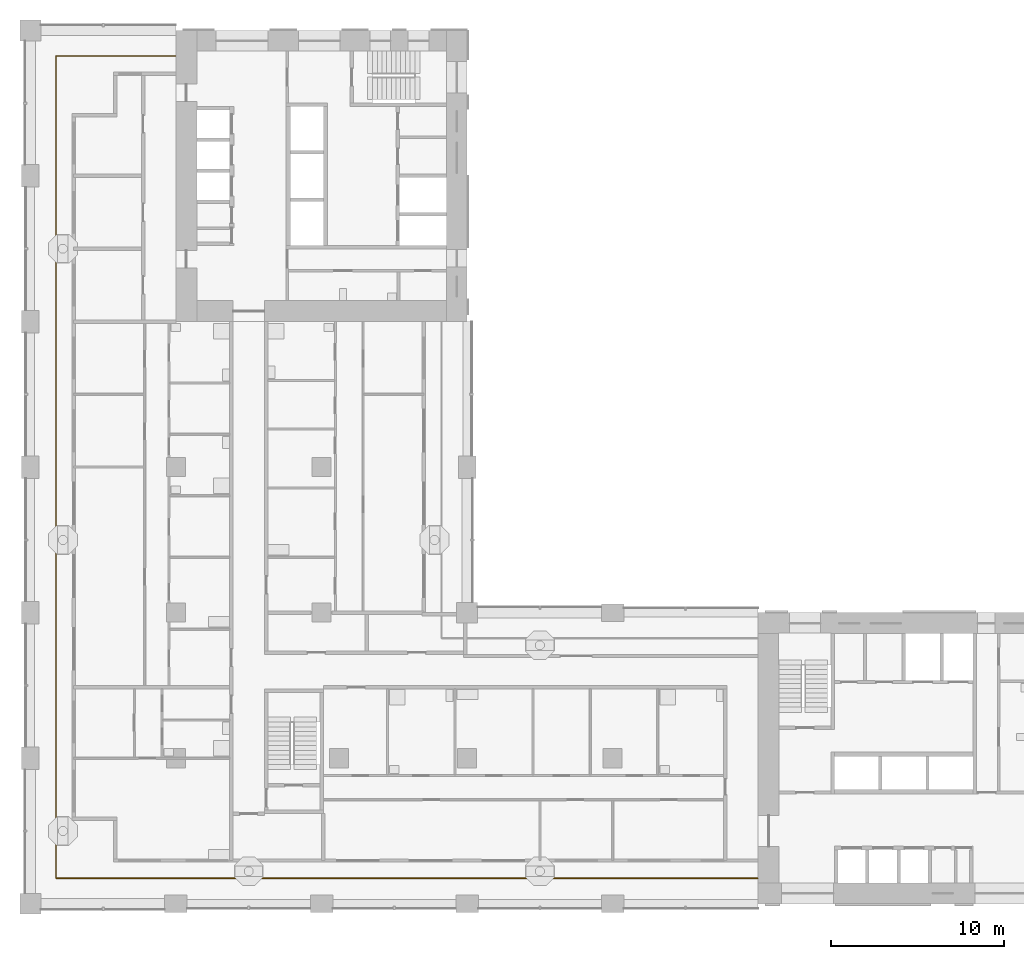
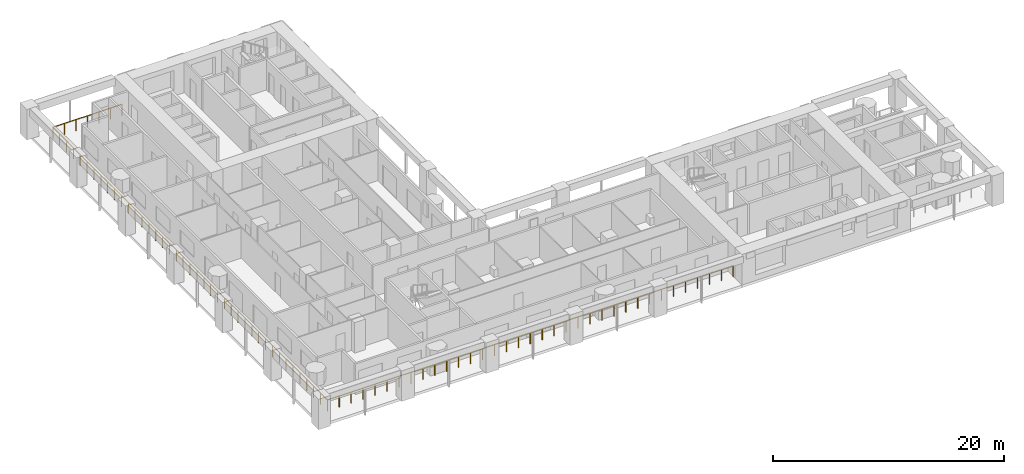
# One storey, part 10 of 18: 1 railing.
"""IFC4 building model written with IfcOpenShell, lengths in metres."""

import ifcopenshell
import ifcopenshell.guid

model = None  # the IFC model being written
_history = None  # IfcOwnerHistory: only IFC2X3 demands one
_inside = {}  # id of a spatial element -> (the spatial element, [elements in it])
_under = {}  # id of a project, library or spatial element -> (it, [spatial elements below it])
_declared = {}  # id of a project -> (the project, [libraries it declares])
_typed = {}  # id of a type object -> (the type object, [elements of that type])
_made_of = {}  # id of a material, layer set ... -> (it, [elements and type objects made of it])


def new_model(schema):
    """Start an empty IFC model of exactly this schema.

    Asked for "IFC4X3", IfcOpenShell would pick the latest addendum, in which some entities
    have other attributes; the version numbers below select the first issue.
    IFC2X3 requires an IfcOwnerHistory on every rooted entity: one is made here for all.
    """
    global model, _history
    if schema == "IFC4X3":
        model = ifcopenshell.file(schema_version=(4, 3, 0, 0))
    else:
        model = ifcopenshell.file(schema=schema)
    _inside.clear()
    _under.clear()
    _declared.clear()
    _typed.clear()
    _made_of.clear()
    _history = None
    if model.schema == "IFC2X3":
        org = make("IfcOrganization", Name="unknown")
        user = make(
            "IfcPersonAndOrganization",
            ThePerson=make("IfcPerson", FamilyName="unknown"),
            TheOrganization=org,
        )
        app = make(
            "IfcApplication",
            ApplicationDeveloper=org,
            Version="unknown",
            ApplicationFullName="unknown",
            ApplicationIdentifier="unknown",
        )
        _history = make(
            "IfcOwnerHistory",
            OwningUser=user,
            OwningApplication=app,
            ChangeAction="ADDED",
            CreationDate=0,
        )
    return model


def make(cls, **values):
    """One entity of the class cls with the attributes given. An attribute that is None is left unset."""
    return model.create_entity(
        cls, **{name: value for name, value in values.items() if value is not None}
    )


def rooted(cls, **values):
    """An entity with a GlobalId (a new one), such as an element, a storey or a relation."""
    return make(cls, GlobalId=ifcopenshell.guid.new(), OwnerHistory=_history, **values)


def si_unit(unit_type, name, prefix=None):
    """IfcSIUnit, for example si_unit("LENGTHUNIT", "METRE", prefix="MILLI")."""
    return make("IfcSIUnit", UnitType=unit_type, Prefix=prefix, Name=name)


def assignment(units):
    """IfcUnitAssignment: the units of a project."""
    return None if units is None else make("IfcUnitAssignment", Units=units)


def point(xyz):
    """IfcCartesianPoint."""
    return None if xyz is None else make("IfcCartesianPoint", Coordinates=xyz)


def direction(xyz):
    """IfcDirection."""
    return None if xyz is None else make("IfcDirection", DirectionRatios=xyz)


def frame(location, z_axis=None, x_axis=None):
    """IfcAxis2Placement3D, a coordinate frame: its origin and axes. An axis left out is left unset."""
    return make(
        "IfcAxis2Placement3D",
        Location=point(location),
        Axis=direction(z_axis),
        RefDirection=direction(x_axis),
    )


def frame_2d(location, x_axis=None):
    """IfcAxis2Placement2D, a coordinate frame in the plane: its origin and x axis."""
    return make(
        "IfcAxis2Placement2D", Location=point(location), RefDirection=direction(x_axis)
    )


def origin():
    """The frame at (0, 0, 0) with its axes left unset."""
    return frame((0.0, 0.0, 0.0))


def origin_2d():
    """The frame at (0, 0) in the plane with its x axis left unset."""
    return frame_2d((0.0, 0.0))


def place(relative_to, where):
    """IfcLocalPlacement: puts the frame where relative to a parent placement (None: the world)."""
    return make(
        "IfcLocalPlacement", PlacementRelTo=relative_to, RelativePlacement=where
    )


def context(
    kind, dimensions, precision=None, world=None, true_north=None, identifier=None
):
    """IfcGeometricRepresentationContext, for example the 3D "Model" context."""
    return make(
        "IfcGeometricRepresentationContext",
        ContextIdentifier=identifier,
        ContextType=kind,
        CoordinateSpaceDimension=dimensions,
        Precision=precision,
        WorldCoordinateSystem=world,
        TrueNorth=true_north,
    )


def subcontext(parent, identifier, kind, view, scale=None):
    """IfcGeometricRepresentationSubContext, for example "Body" below "Model"."""
    return make(
        "IfcGeometricRepresentationSubContext",
        ContextIdentifier=identifier,
        ContextType=kind,
        ParentContext=parent,
        TargetScale=scale,
        TargetView=view,
    )


def project(units=None, contexts=None):
    """IfcProject with its units and contexts."""
    return rooted(
        "IfcProject",
        Name="project",
        RepresentationContexts=contexts,
        UnitsInContext=assignment(units),
    )


def spatial(cls, under=None, at=None, **own):
    """A site, building, storey or space (cls), placed at a placement, below another one or the project."""
    s = rooted(cls, ObjectPlacement=at, **own)
    if under is not None:
        _under.setdefault(under.id(), (under, []))[1].append(s)
    return s


def profile(cls, at=None, kind="AREA", **sizes):
    """A parametric profile (cls). Its sizes go by their IFC names, for example OverallWidth=200.0."""
    return make(cls, ProfileType=kind, Position=at, **sizes)


def circle(**sizes):
    """IfcCircleProfileDef."""
    return profile("IfcCircleProfileDef", **sizes)


def extrude(swept, where, along, depth):
    """IfcExtrudedAreaSolid: the profile swept, set in the frame where, extruded along a direction by depth."""
    return make(
        "IfcExtrudedAreaSolid",
        SweptArea=swept,
        Position=where,
        ExtrudedDirection=direction(along),
        Depth=depth,
    )


def shape(context_of_items, identifier, shape_type, items):
    """IfcShapeRepresentation: the items that make up one representation, for example the "Body"."""
    return make(
        "IfcShapeRepresentation",
        ContextOfItems=context_of_items,
        RepresentationIdentifier=identifier,
        RepresentationType=shape_type,
        Items=items,
    )


def material(Name=None, Category=None):
    """IfcMaterial."""
    return make("IfcMaterial", Name=Name, Category=Category)


def made_of(thing, what):
    """Note that an element or type object is made of a material, layer set ...; save() writes the relation."""
    if what is not None:
        _made_of.setdefault(what.id(), (what, []))[1].append(thing)
    return thing


def type_object(cls, material=None, **own):
    """A type object (cls), such as IfcWallType, which elements share."""
    return made_of(rooted(cls, **own), material)


def element(
    cls,
    number,
    at=None,
    inside=None,
    cuts=None,
    type_object=None,
    material=None,
    context=None,
    identifier="Body",
    shape_type=None,
    held_by="IfcProductDefinitionShape",
    body=None,
    shapes=None,
    **own,
):
    """One element of the class cls, such as IfcWall. Its Tag is "e" and its number.

    at: its placement. inside: the storey or other place that contains it. cuts: it is an
    opening in that element (IfcRelVoidsElement). A single representation is given by context,
    identifier, shape_type and body (its items); several are given by shapes. held_by: the class
    of the entity that holds the representations. save() writes the other relations.
    """
    e = rooted(cls, Tag="e%d" % number, ObjectPlacement=at, **own)
    if body is not None:
        shapes = [shape(context, identifier, shape_type, body)]
    if shapes is not None:
        e.Representation = make(held_by, Representations=shapes)
    if inside is not None:
        _inside.setdefault(inside.id(), (inside, []))[1].append(e)
    if cuts is not None:
        rooted(
            "IfcRelVoidsElement", RelatingBuildingElement=cuts, RelatedOpeningElement=e
        )
    if type_object is not None:
        _typed.setdefault(type_object.id(), (type_object, []))[1].append(e)
    return made_of(e, material)


def aggregate(whole, parts):
    """IfcRelAggregates: a whole, such as a stair, and the parts it consists of."""
    return rooted("IfcRelAggregates", RelatingObject=whole, RelatedObjects=parts)


def save(model, path):
    """Write the relations noted so far, then the file.

    IfcRelAggregates (storeys below a building ...), IfcRelContainedInSpatialStructure (elements
    in a storey), IfcRelDefinesByType, IfcRelAssociatesMaterial and IfcRelDeclares: one each for
    every whole, place, type object, material and project.
    """
    for whole, parts in _under.values():
        aggregate(whole, parts)
    for where, things in _inside.values():
        rooted(
            "IfcRelContainedInSpatialStructure",
            RelatedElements=things,
            RelatingStructure=where,
        )
    for kind, things in _typed.values():
        rooted("IfcRelDefinesByType", RelatedObjects=things, RelatingType=kind)
    for what, things in _made_of.values():
        rooted("IfcRelAssociatesMaterial", RelatedObjects=things, RelatingMaterial=what)
    for by, libraries in _declared.values():
        rooted("IfcRelDeclares", RelatingContext=by, RelatedDefinitions=libraries)
    model.write(path)


model = new_model("IFC4")

# Units and contexts
model_context = context("Model", 3, precision=1e-05, world=origin(), true_north=direction((0.0, 1.0)))
body_context = subcontext(model_context, "Body", "Model", "MODEL_VIEW")
ifc_project = project(units=[si_unit("LENGTHUNIT", "METRE"), si_unit("AREAUNIT", "SQUARE_METRE"), si_unit("VOLUMEUNIT", "CUBIC_METRE"), si_unit("PLANEANGLEUNIT", "RADIAN"), si_unit("MASSUNIT", "GRAM", prefix="KILO")], contexts=[model_context])

# Site, building, storey
site_placement = place(None, origin())
site = spatial("IfcSite", under=ifc_project, at=site_placement, CompositionType="ELEMENT")
building_placement = place(site_placement, origin())
building = spatial("IfcBuilding", under=site, at=building_placement, Name="Vermilion Gate Residences", CompositionType="ELEMENT")
storey_placement = place(building_placement, frame((0.0, 0.0, 133.699951171875)))
storey = spatial("IfcBuildingStorey", under=building, at=storey_placement, Name="L34", CompositionType="ELEMENT", Elevation=133.699951171875)

# Railing
ifc_material = material(Name="Stainless steel and toughened glass", Category="steel")
railing_type = type_object("IfcRailingType", Name="LOGGIA GUARD STEEL AND GLASS 1200", PredefinedType="GUARDRAIL", material=ifc_material)
railing_placement = place(storey_placement, frame((8.3779296875, 57.324951171875, 0.0)))
element("IfcRailing", 1, at=railing_placement, inside=storey, type_object=railing_type, Name="Loggia guard", PredefinedType="GUARDRAIL", context=body_context, shape_type="SweptSolid", body=[
    extrude(circle(Radius=0.030029296875, at=origin_2d()), frame((0.0, 0.0, 1.169921875), z_axis=(-1.0, 0.0, 0.0), x_axis=(0.0, -1.0, 0.0)), (0.0, 0.0, 1.0), 6.90283203125),
    extrude(circle(Radius=0.030029296875, at=origin_2d()), frame((-6.90283203125, 0.0, 1.169921875), z_axis=(0.0, -1.0, 0.0), x_axis=(1.0, 0.0, 0.0)), (0.0, 0.0, 1.0), 47.449951171875),
    extrude(circle(Radius=0.030029296875, at=origin_2d()), frame((-6.90283203125, -47.449951171875, 1.169921875), z_axis=(1.0, 0.0, 0.0), x_axis=(0.0, 1.0, 0.0)), (0.0, 0.0, 1.0), 40.5029296875),
    extrude(circle(Radius=0.02490234375, at=origin_2d()), origin(), (0.0, 0.0, 1.0), 1.139892578125),
    extrude(circle(Radius=0.02490234375, at=origin_2d()), frame((-1.150390625, 0.0, 0.0)), (0.0, 0.0, 1.0), 1.139892578125),
    extrude(circle(Radius=0.02490234375, at=origin_2d()), frame((-2.301025390625, 0.0, 0.0)), (0.0, 0.0, 1.0), 1.139892578125),
    extrude(circle(Radius=0.02490234375, at=origin_2d()), frame((-3.451416015625, 0.0, 0.0)), (0.0, 0.0, 1.0), 1.139892578125),
    extrude(circle(Radius=0.02490234375, at=origin_2d()), frame((-4.601806640625, 0.0, 0.0)), (0.0, 0.0, 1.0), 1.139892578125),
    extrude(circle(Radius=0.02490234375, at=origin_2d()), frame((-5.75244140625, 0.0, 0.0)), (0.0, 0.0, 1.0), 1.139892578125),
    extrude(circle(Radius=0.02490234375, at=origin_2d()), frame((-6.90283203125, 0.0, 0.0)), (0.0, 0.0, 1.0), 1.139892578125),
    extrude(circle(Radius=0.02490234375, at=origin_2d()), frame((-6.90283203125, -1.186279296875, 0.0)), (0.0, 0.0, 1.0), 1.139892578125),
    extrude(circle(Radius=0.02490234375, at=origin_2d()), frame((-6.90283203125, -2.37255859375, 0.0)), (0.0, 0.0, 1.0), 1.139892578125),
    extrude(circle(Radius=0.02490234375, at=origin_2d()), frame((-6.90283203125, -3.558837890625, 0.0)), (0.0, 0.0, 1.0), 1.139892578125),
    extrude(circle(Radius=0.02490234375, at=origin_2d()), frame((-6.90283203125, -4.7451171875, 0.0)), (0.0, 0.0, 1.0), 1.139892578125),
    extrude(circle(Radius=0.02490234375, at=origin_2d()), frame((-6.90283203125, -5.93115234375, 0.0)), (0.0, 0.0, 1.0), 1.139892578125),
    extrude(circle(Radius=0.02490234375, at=origin_2d()), frame((-6.90283203125, -7.117431640625, 0.0)), (0.0, 0.0, 1.0), 1.139892578125),
    extrude(circle(Radius=0.02490234375, at=origin_2d()), frame((-6.90283203125, -8.3037109375, 0.0)), (0.0, 0.0, 1.0), 1.139892578125),
    extrude(circle(Radius=0.02490234375, at=origin_2d()), frame((-6.90283203125, -9.489990234375, 0.0)), (0.0, 0.0, 1.0), 1.139892578125),
    extrude(circle(Radius=0.02490234375, at=origin_2d()), frame((-6.90283203125, -10.67626953125, 0.0)), (0.0, 0.0, 1.0), 1.139892578125),
    extrude(circle(Radius=0.02490234375, at=origin_2d()), frame((-6.90283203125, -11.862548828125, 0.0)), (0.0, 0.0, 1.0), 1.139892578125),
    extrude(circle(Radius=0.02490234375, at=origin_2d()), frame((-6.90283203125, -13.048828125, 0.0)), (0.0, 0.0, 1.0), 1.139892578125),
    extrude(circle(Radius=0.02490234375, at=origin_2d()), frame((-6.90283203125, -14.23486328125, 0.0)), (0.0, 0.0, 1.0), 1.139892578125),
    extrude(circle(Radius=0.02490234375, at=origin_2d()), frame((-6.90283203125, -15.421142578125, 0.0)), (0.0, 0.0, 1.0), 1.139892578125),
    extrude(circle(Radius=0.02490234375, at=origin_2d()), frame((-6.90283203125, -16.607421875, 0.0)), (0.0, 0.0, 1.0), 1.139892578125),
    extrude(circle(Radius=0.02490234375, at=origin_2d()), frame((-6.90283203125, -17.793701171875, 0.0)), (0.0, 0.0, 1.0), 1.139892578125),
    extrude(circle(Radius=0.02490234375, at=origin_2d()), frame((-6.90283203125, -18.97998046875, 0.0)), (0.0, 0.0, 1.0), 1.139892578125),
    extrude(circle(Radius=0.02490234375, at=origin_2d()), frame((-6.90283203125, -20.166259765625, 0.0)), (0.0, 0.0, 1.0), 1.139892578125),
    extrude(circle(Radius=0.02490234375, at=origin_2d()), frame((-6.90283203125, -21.3525390625, 0.0)), (0.0, 0.0, 1.0), 1.139892578125),
    extrude(circle(Radius=0.02490234375, at=origin_2d()), frame((-6.90283203125, -22.538818359375, 0.0)), (0.0, 0.0, 1.0), 1.139892578125),
    extrude(circle(Radius=0.02490234375, at=origin_2d()), frame((-6.90283203125, -23.72509765625, 0.0)), (0.0, 0.0, 1.0), 1.139892578125),
    extrude(circle(Radius=0.02490234375, at=origin_2d()), frame((-6.90283203125, -24.9111328125, 0.0)), (0.0, 0.0, 1.0), 1.139892578125),
    extrude(circle(Radius=0.02490234375, at=origin_2d()), frame((-6.90283203125, -26.097412109375, 0.0)), (0.0, 0.0, 1.0), 1.139892578125),
    extrude(circle(Radius=0.02490234375, at=origin_2d()), frame((-6.90283203125, -27.28369140625, 0.0)), (0.0, 0.0, 1.0), 1.139892578125),
    extrude(circle(Radius=0.02490234375, at=origin_2d()), frame((-6.90283203125, -28.469970703125, 0.0)), (0.0, 0.0, 1.0), 1.139892578125),
    extrude(circle(Radius=0.02490234375, at=origin_2d()), frame((-6.90283203125, -29.65625, 0.0)), (0.0, 0.0, 1.0), 1.139892578125),
    extrude(circle(Radius=0.02490234375, at=origin_2d()), frame((-6.90283203125, -30.842529296875, 0.0)), (0.0, 0.0, 1.0), 1.139892578125),
    extrude(circle(Radius=0.02490234375, at=origin_2d()), frame((-6.90283203125, -32.02880859375, 0.0)), (0.0, 0.0, 1.0), 1.139892578125),
    extrude(circle(Radius=0.02490234375, at=origin_2d()), frame((-6.90283203125, -33.21484375, 0.0)), (0.0, 0.0, 1.0), 1.139892578125),
    extrude(circle(Radius=0.02490234375, at=origin_2d()), frame((-6.90283203125, -34.401123046875, 0.0)), (0.0, 0.0, 1.0), 1.139892578125),
    extrude(circle(Radius=0.02490234375, at=origin_2d()), frame((-6.90283203125, -35.58740234375, 0.0)), (0.0, 0.0, 1.0), 1.139892578125),
    extrude(circle(Radius=0.02490234375, at=origin_2d()), frame((-6.90283203125, -36.773681640625, 0.0)), (0.0, 0.0, 1.0), 1.139892578125),
    extrude(circle(Radius=0.02490234375, at=origin_2d()), frame((-6.90283203125, -37.9599609375, 0.0)), (0.0, 0.0, 1.0), 1.139892578125),
    extrude(circle(Radius=0.02490234375, at=origin_2d()), frame((-6.90283203125, -39.146240234375, 0.0)), (0.0, 0.0, 1.0), 1.139892578125),
    extrude(circle(Radius=0.02490234375, at=origin_2d()), frame((-6.90283203125, -40.33251953125, 0.0)), (0.0, 0.0, 1.0), 1.139892578125),
    extrude(circle(Radius=0.02490234375, at=origin_2d()), frame((-6.90283203125, -41.518798828125, 0.0)), (0.0, 0.0, 1.0), 1.139892578125),
    extrude(circle(Radius=0.02490234375, at=origin_2d()), frame((-6.90283203125, -42.705078125, 0.0)), (0.0, 0.0, 1.0), 1.139892578125),
    extrude(circle(Radius=0.02490234375, at=origin_2d()), frame((-6.90283203125, -43.89111328125, 0.0)), (0.0, 0.0, 1.0), 1.139892578125),
    extrude(circle(Radius=0.02490234375, at=origin_2d()), frame((-6.90283203125, -45.077392578125, 0.0)), (0.0, 0.0, 1.0), 1.139892578125),
    extrude(circle(Radius=0.02490234375, at=origin_2d()), frame((-6.90283203125, -46.263671875, 0.0)), (0.0, 0.0, 1.0), 1.139892578125),
    extrude(circle(Radius=0.02490234375, at=origin_2d()), frame((-6.90283203125, -47.449951171875, 0.0)), (0.0, 0.0, 1.0), 1.139892578125),
    extrude(circle(Radius=0.02490234375, at=origin_2d()), frame((-5.711669921875, -47.449951171875, 0.0)), (0.0, 0.0, 1.0), 1.139892578125),
    extrude(circle(Radius=0.02490234375, at=origin_2d()), frame((-4.520263671875, -47.449951171875, 0.0)), (0.0, 0.0, 1.0), 1.139892578125),
    extrude(circle(Radius=0.02490234375, at=origin_2d()), frame((-3.3291015625, -47.449951171875, 0.0)), (0.0, 0.0, 1.0), 1.139892578125),
    extrude(circle(Radius=0.02490234375, at=origin_2d()), frame((-2.1376953125, -47.449951171875, 0.0)), (0.0, 0.0, 1.0), 1.139892578125),
    extrude(circle(Radius=0.02490234375, at=origin_2d()), frame((-0.946533203125, -47.449951171875, 0.0)), (0.0, 0.0, 1.0), 1.139892578125),
    extrude(circle(Radius=0.02490234375, at=origin_2d()), frame((0.24462890625, -47.449951171875, 0.0)), (0.0, 0.0, 1.0), 1.139892578125),
    extrude(circle(Radius=0.02490234375, at=origin_2d()), frame((1.43603515625, -47.449951171875, 0.0)), (0.0, 0.0, 1.0), 1.139892578125),
    extrude(circle(Radius=0.02490234375, at=origin_2d()), frame((2.627197265625, -47.449951171875, 0.0)), (0.0, 0.0, 1.0), 1.139892578125),
    extrude(circle(Radius=0.02490234375, at=origin_2d()), frame((3.818603515625, -47.449951171875, 0.0)), (0.0, 0.0, 1.0), 1.139892578125),
    extrude(circle(Radius=0.02490234375, at=origin_2d()), frame((5.009765625, -47.449951171875, 0.0)), (0.0, 0.0, 1.0), 1.139892578125),
    extrude(circle(Radius=0.02490234375, at=origin_2d()), frame((6.201171875, -47.449951171875, 0.0)), (0.0, 0.0, 1.0), 1.139892578125),
    extrude(circle(Radius=0.02490234375, at=origin_2d()), frame((7.392333984375, -47.449951171875, 0.0)), (0.0, 0.0, 1.0), 1.139892578125),
    extrude(circle(Radius=0.02490234375, at=origin_2d()), frame((8.58349609375, -47.449951171875, 0.0)), (0.0, 0.0, 1.0), 1.139892578125),
    extrude(circle(Radius=0.02490234375, at=origin_2d()), frame((9.77490234375, -47.449951171875, 0.0)), (0.0, 0.0, 1.0), 1.139892578125),
    extrude(circle(Radius=0.02490234375, at=origin_2d()), frame((10.966064453125, -47.449951171875, 0.0)), (0.0, 0.0, 1.0), 1.139892578125),
    extrude(circle(Radius=0.02490234375, at=origin_2d()), frame((12.157470703125, -47.449951171875, 0.0)), (0.0, 0.0, 1.0), 1.139892578125),
    extrude(circle(Radius=0.02490234375, at=origin_2d()), frame((13.3486328125, -47.449951171875, 0.0)), (0.0, 0.0, 1.0), 1.139892578125),
    extrude(circle(Radius=0.02490234375, at=origin_2d()), frame((14.539794921875, -47.449951171875, 0.0)), (0.0, 0.0, 1.0), 1.139892578125),
    extrude(circle(Radius=0.02490234375, at=origin_2d()), frame((15.731201171875, -47.449951171875, 0.0)), (0.0, 0.0, 1.0), 1.139892578125),
    extrude(circle(Radius=0.02490234375, at=origin_2d()), frame((16.92236328125, -47.449951171875, 0.0)), (0.0, 0.0, 1.0), 1.139892578125),
    extrude(circle(Radius=0.02490234375, at=origin_2d()), frame((18.11376953125, -47.449951171875, 0.0)), (0.0, 0.0, 1.0), 1.139892578125),
    extrude(circle(Radius=0.02490234375, at=origin_2d()), frame((19.304931640625, -47.449951171875, 0.0)), (0.0, 0.0, 1.0), 1.139892578125),
    extrude(circle(Radius=0.02490234375, at=origin_2d()), frame((20.49609375, -47.449951171875, 0.0)), (0.0, 0.0, 1.0), 1.139892578125),
    extrude(circle(Radius=0.02490234375, at=origin_2d()), frame((21.6875, -47.449951171875, 0.0)), (0.0, 0.0, 1.0), 1.139892578125),
    extrude(circle(Radius=0.02490234375, at=origin_2d()), frame((22.878662109375, -47.449951171875, 0.0)), (0.0, 0.0, 1.0), 1.139892578125),
    extrude(circle(Radius=0.02490234375, at=origin_2d()), frame((24.070068359375, -47.449951171875, 0.0)), (0.0, 0.0, 1.0), 1.139892578125),
    extrude(circle(Radius=0.02490234375, at=origin_2d()), frame((25.26123046875, -47.449951171875, 0.0)), (0.0, 0.0, 1.0), 1.139892578125),
    extrude(circle(Radius=0.02490234375, at=origin_2d()), frame((26.45263671875, -47.449951171875, 0.0)), (0.0, 0.0, 1.0), 1.139892578125),
    extrude(circle(Radius=0.02490234375, at=origin_2d()), frame((27.643798828125, -47.449951171875, 0.0)), (0.0, 0.0, 1.0), 1.139892578125),
    extrude(circle(Radius=0.02490234375, at=origin_2d()), frame((28.8349609375, -47.449951171875, 0.0)), (0.0, 0.0, 1.0), 1.139892578125),
    extrude(circle(Radius=0.02490234375, at=origin_2d()), frame((30.0263671875, -47.449951171875, 0.0)), (0.0, 0.0, 1.0), 1.139892578125),
    extrude(circle(Radius=0.02490234375, at=origin_2d()), frame((31.217529296875, -47.449951171875, 0.0)), (0.0, 0.0, 1.0), 1.139892578125),
    extrude(circle(Radius=0.02490234375, at=origin_2d()), frame((32.408935546875, -47.449951171875, 0.0)), (0.0, 0.0, 1.0), 1.139892578125),
    extrude(circle(Radius=0.02490234375, at=origin_2d()), frame((33.60009765625, -47.449951171875, 0.0)), (0.0, 0.0, 1.0), 1.139892578125),
])

save(model, "model.ifc")
